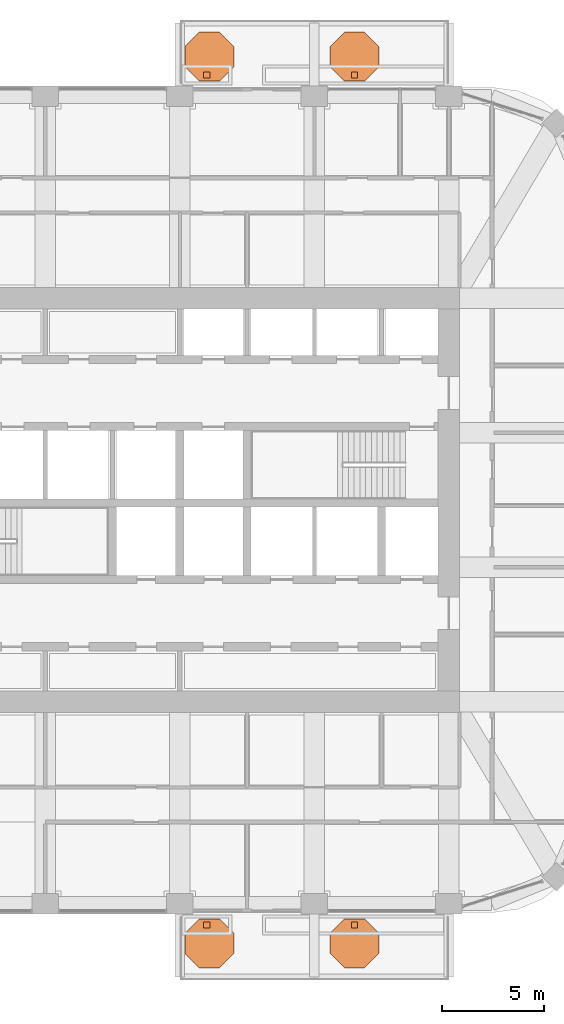
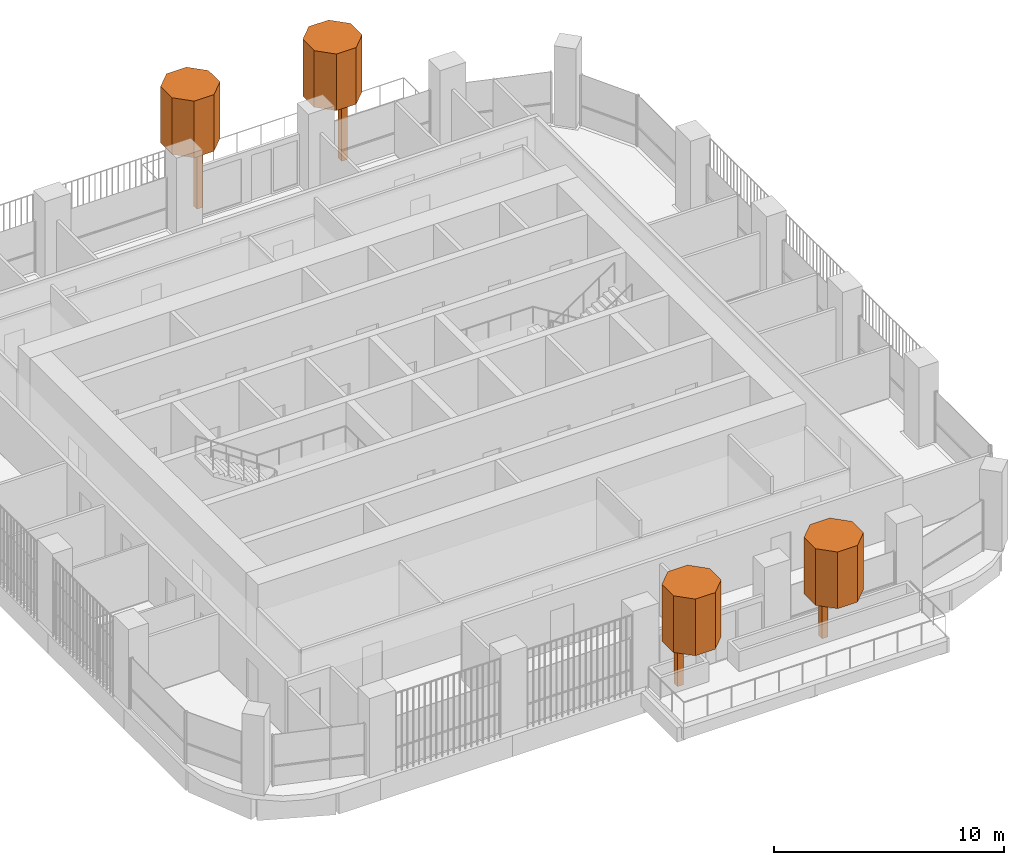
# One storey, part 21 of 21: 8 geographic elements.
"""IFC4 building model written with IfcOpenShell, lengths in metres."""

from ifc_helpers import new_model, si_unit, direction, frame, origin, origin_2d, place, context, subcontext, project, spatial, polyline, rectangle, outline, extrude, material, type_object, element, save


model = new_model("IFC4")

# Units and contexts
model_context = context("Model", 3, precision=1e-05, world=origin(), true_north=direction((0.0, 1.0)))
body_context = subcontext(model_context, "Body", "Model", "MODEL_VIEW")
ifc_project = project(units=[si_unit("LENGTHUNIT", "METRE"), si_unit("AREAUNIT", "SQUARE_METRE"), si_unit("VOLUMEUNIT", "CUBIC_METRE"), si_unit("PLANEANGLEUNIT", "RADIAN"), si_unit("MASSUNIT", "GRAM", prefix="KILO")], contexts=[model_context])

# Site, building, storey
site_placement = place(None, origin())
site = spatial("IfcSite", under=ifc_project, at=site_placement, CompositionType="ELEMENT")
building_placement = place(site_placement, origin())
building = spatial("IfcBuilding", under=site, at=building_placement, Name="Cobogo Forest Laboratory Tower", CompositionType="ELEMENT")
storey_placement = place(building_placement, frame((0.0, 0.0, 250.199951171875)))
storey = spatial("IfcBuildingStorey", under=building, at=storey_placement, Name="L57", CompositionType="ELEMENT", Elevation=250.199951171875)

# Geographic elements
ifc_material = material(Name="Planting", Category="plant")
geographic_element_type_1 = type_object("IfcGeographicElementType", Name="Tree trunk 300", PredefinedType="USERDEFINED", material=ifc_material)
for number, where, z_axis, x_axis, name in (
    (1, (27.72509765625, 2.25, 0.0), (0.0, 0.0, 1.0), (1.0, 0.0, 0.0), "Tree trunk BAL-S1-PL1 L57"),
    (2, (34.97509765625, 2.25, 0.0), (0.0, 0.0, 1.0), (1.0, 0.0, 0.0), "Tree trunk BAL-S1-PL2 L57"),
    (3, (27.72509765625, 43.949951171875, 0.0), (0.0, 0.0, 1.0), (1.0, 0.0, 0.0), "Tree trunk BAL-N1-PL1 L57"),
    (4, (34.97509765625, 43.949951171875, 0.0), (0.0, 0.0, 1.0), (1.0, 0.0, 0.0), "Tree trunk BAL-N1-PL2 L57"),
):
    element("IfcGeographicElement", number, at=place(storey_placement, frame(where, z_axis=z_axis, x_axis=x_axis)), inside=storey, type_object=geographic_element_type_1, Name=name, ObjectType="TREE TRUNK", PredefinedType="USERDEFINED", context=body_context, shape_type="SweptSolid", body=[
        extrude(rectangle(XDim=0.300048828125, YDim=0.300048828125, at=origin_2d()), origin(), (0.0, 0.0, 1.0), 2.89990234375),
    ])
geographic_element_type_2 = type_object("IfcGeographicElementType", Name="Tree, holm oak 5 m", PredefinedType="USERDEFINED", material=ifc_material)
geographic_element_1_placement = place(storey_placement, frame((0.0, 0.0, 2.900146484375)))
element("IfcGeographicElement", 5, at=geographic_element_1_placement, inside=storey, type_object=geographic_element_type_2, Name="Holm tree BAL-S1-PL1 L57", ObjectType="TREE", PredefinedType="USERDEFINED", context=body_context, shape_type="SweptSolid", body=[
    extrude(outline(polyline([(29.050048828125, 0.85302734375), (29.050048828125, 1.84716796875), (28.34716796875, 2.550048828125), (27.35302734375, 2.550048828125), (26.64990234375, 1.84716796875), (26.64990234375, 0.85302734375), (27.35302734375, 0.14990234375), (28.34716796875, 0.14990234375), (29.050048828125, 0.85302734375)])), origin(), (0.0, 0.0, 1.0), 3.0),
])
geographic_element_2_placement = place(storey_placement, frame((0.0, 0.0, 2.900146484375)))
element("IfcGeographicElement", 6, at=geographic_element_2_placement, inside=storey, type_object=geographic_element_type_2, Name="Holm tree BAL-S1-PL2 L57", ObjectType="TREE", PredefinedType="USERDEFINED", context=body_context, shape_type="SweptSolid", body=[
    extrude(outline(polyline([(36.175048828125, 0.85302734375), (36.175048828125, 1.84716796875), (35.47216796875, 2.550048828125), (34.47802734375, 2.550048828125), (33.77490234375, 1.84716796875), (33.77490234375, 0.85302734375), (34.47802734375, 0.14990234375), (35.47216796875, 0.14990234375), (36.175048828125, 0.85302734375)])), origin(), (0.0, 0.0, 1.0), 3.0),
])
geographic_element_3_placement = place(storey_placement, frame((0.0, 0.0, 2.900146484375)))
element("IfcGeographicElement", 7, at=geographic_element_3_placement, inside=storey, type_object=geographic_element_type_2, Name="Holm tree BAL-N1-PL1 L57", ObjectType="TREE", PredefinedType="USERDEFINED", context=body_context, shape_type="SweptSolid", body=[
    extrude(outline(polyline([(29.050048828125, 44.35302734375), (29.050048828125, 45.34716796875), (28.34716796875, 46.050048828125), (27.35302734375, 46.050048828125), (26.64990234375, 45.34716796875), (26.64990234375, 44.35302734375), (27.35302734375, 43.64990234375), (28.34716796875, 43.64990234375), (29.050048828125, 44.35302734375)])), origin(), (0.0, 0.0, 1.0), 3.0),
])
geographic_element_4_placement = place(storey_placement, frame((0.0, 0.0, 2.900146484375)))
element("IfcGeographicElement", 8, at=geographic_element_4_placement, inside=storey, type_object=geographic_element_type_2, Name="Holm tree BAL-N1-PL2 L57", ObjectType="TREE", PredefinedType="USERDEFINED", context=body_context, shape_type="SweptSolid", body=[
    extrude(outline(polyline([(36.175048828125, 44.35302734375), (36.175048828125, 45.34716796875), (35.47216796875, 46.050048828125), (34.47802734375, 46.050048828125), (33.77490234375, 45.34716796875), (33.77490234375, 44.35302734375), (34.47802734375, 43.64990234375), (35.47216796875, 43.64990234375), (36.175048828125, 44.35302734375)])), origin(), (0.0, 0.0, 1.0), 3.0),
])

save(model, "model.ifc")
